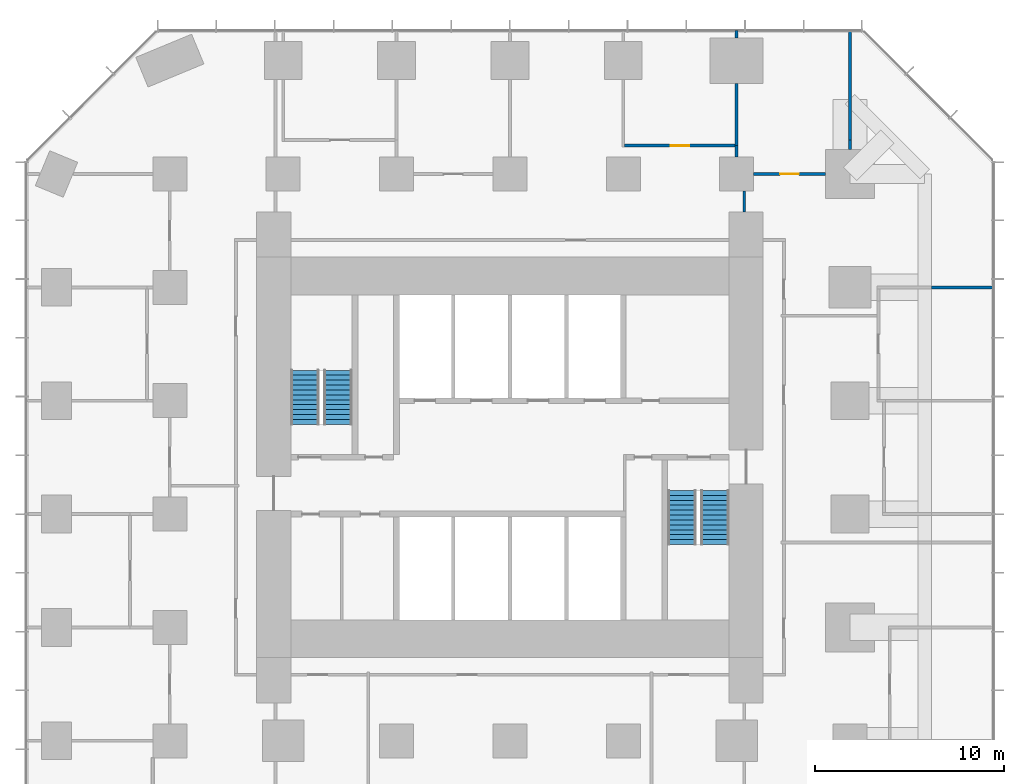
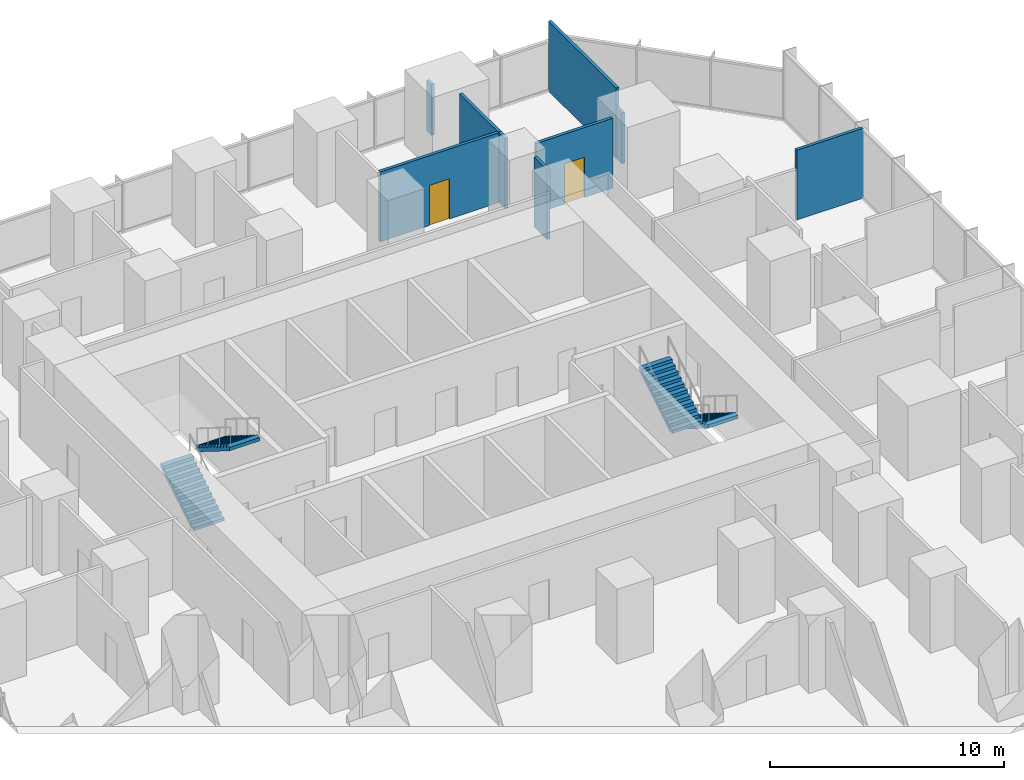
# One storey, part 12 of 13: 9 walls, 4 stair flights, 2 doors, 2 openings, 2 elements without a shape of their own.
"""IFC4 building model written with IfcOpenShell, lengths in metres."""

from ifc_helpers import new_model, si_unit, direction, frame, frame_2d, origin, place, context, subcontext, project, spatial, polyline, rectangle, outline, extrude, material, layer, layer_set, type_object, element, fill, aggregate, save


model = new_model("IFC4")

# Units and contexts
model_context = context("Model", 3, precision=1e-05, world=origin(), true_north=direction((0.0, 1.0)))
body_context = subcontext(model_context, "Body", "Model", "MODEL_VIEW")
ifc_project = project(units=[si_unit("LENGTHUNIT", "METRE"), si_unit("AREAUNIT", "SQUARE_METRE"), si_unit("VOLUMEUNIT", "CUBIC_METRE"), si_unit("PLANEANGLEUNIT", "RADIAN"), si_unit("MASSUNIT", "GRAM", prefix="KILO")], contexts=[model_context])

# Site, building, storey
site_placement = place(None, origin())
site = spatial("IfcSite", under=ifc_project, at=site_placement, CompositionType="ELEMENT")
building_placement = place(site_placement, origin())
building = spatial("IfcBuilding", under=site, at=building_placement, Name="Highveld Stack Headquarters", CompositionType="ELEMENT")
storey_placement = place(building_placement, frame((0.0, 0.0, 61.10009765625)))
storey = spatial("IfcBuildingStorey", under=building, at=storey_placement, Name="L14", CompositionType="ELEMENT", Elevation=61.10009765625)

# Wall
ifc_material_1 = material(Name="Gypsum plasterboard on steel studs", Category="steel")
ifc_layer = layer(ifc_material_1, 0.14990234375)
ifc_layer_set = layer_set([ifc_layer], Name="Gypsum plasterboard on steel studs")
wall_type = type_object("IfcWallType", Name="PARTITION 150 PLASTERBOARD", PredefinedType="PARTITIONING", material=ifc_layer_set)
wall_1_placement = place(storey_placement, frame((28.31005859375, 12.0, 0.0), z_axis=(0.0, 0.0, 1.0), x_axis=(1.0, 0.0, 0.0)))
element("IfcWall", 1, at=wall_1_placement, inside=storey, type_object=wall_type, Name="Partition Quiet room L14", PredefinedType="PARTITIONING", context=body_context, shape_type="SweptSolid", body=[
    extrude(rectangle(XDim=3.2900390625, YDim=0.14990234375, at=frame_2d((1.64501953125, 0.0))), origin(), (0.0, 0.0, 1.0), 3.64990234375),
])

# Wall, opening, door
wall_2_placement = place(storey_placement, frame((18.89990234375, 18.0, 0.0), z_axis=(0.0, 0.0, 1.0), x_axis=(1.0, 0.0, 0.0)))
wall_2 = element("IfcWall", 2, at=wall_2_placement, inside=storey, type_object=wall_type, Name="Partition Office L14", PredefinedType="PARTITIONING", context=body_context, shape_type="SweptSolid", body=[
    extrude(rectangle(XDim=3.800048828125, YDim=0.14990234375, at=frame_2d((1.89990234375, 0.0))), origin(), (0.0, 0.0, 1.0), 3.64990234375),
])
opening_1_placement = place(wall_2_placement, frame((1.39990234375, 0.0, 0.0)))
opening_1 = element("IfcOpeningElement", 3, at=opening_1_placement, cuts=wall_2, Name="Opening L14-24", PredefinedType="OPENING", context=body_context, shape_type="SweptSolid", body=[
    extrude(rectangle(XDim=1.0, YDim=2.10009765625, at=frame_2d((0.5, 1.050048828125))), frame((0.0, 0.0849609375, 0.0), z_axis=(0.0, -1.0, 0.0), x_axis=(1.0, 0.0, 0.0)), (0.0, 0.0, 1.0), 0.169921875),
])
ifc_material_2 = material(Name="Timber door, oiled ash", Category="wood")
door_type = type_object("IfcDoorType", Name="ROOM DOOR D6 1000x2100", OperationType="SINGLE_SWING_LEFT", PredefinedType="DOOR", material=ifc_material_2)
door_1_placement = place(opening_1_placement, origin())
door_1 = element("IfcDoor", 4, at=door_1_placement, inside=storey, type_object=door_type, Name="Office door 1 L14", OperationType="SINGLE_SWING_RIGHT", OverallHeight=2.10009765625, OverallWidth=1.0, PredefinedType="DOOR", context=body_context, shape_type="SweptSolid", body=[
    extrude(rectangle(XDim=1.0, YDim=2.10009765625, at=frame_2d((0.5, 1.050048828125))), frame((0.0, 0.02490234375, 0.0), z_axis=(0.0, -1.0, 0.0), x_axis=(1.0, 0.0, 0.0)), (0.0, 0.0, 1.0), 0.050048828125),
])
fill(opening_1, door_1)

wall_3_placement = place(storey_placement, frame((12.074951171875, 19.5, 0.0), z_axis=(0.0, 0.0, 1.0), x_axis=(1.0, 0.0, 0.0)))
wall_3 = element("IfcWall", 5, at=wall_3_placement, inside=storey, type_object=wall_type, Name="Partition Quiet room L14", PredefinedType="PARTITIONING", context=body_context, shape_type="SweptSolid", body=[
    extrude(rectangle(XDim=5.85009765625, YDim=0.14990234375, at=frame_2d((2.925048828125, 0.0))), origin(), (0.0, 0.0, 1.0), 3.64990234375),
])
opening_2_placement = place(wall_3_placement, frame((2.425048828125, 0.0, 0.0)))
opening_2 = element("IfcOpeningElement", 6, at=opening_2_placement, cuts=wall_3, Name="Opening L14-23", PredefinedType="OPENING", context=body_context, shape_type="SweptSolid", body=[
    extrude(rectangle(XDim=1.0, YDim=2.10009765625, at=frame_2d((0.5, 1.050048828125))), frame((0.0, 0.0849609375, 0.0), z_axis=(0.0, -1.0, 0.0), x_axis=(1.0, 0.0, 0.0)), (0.0, 0.0, 1.0), 0.169921875),
])
door_2_placement = place(opening_2_placement, origin())
door_2 = element("IfcDoor", 7, at=door_2_placement, inside=storey, type_object=door_type, Name="Quiet room door 1 L14", OperationType="SINGLE_SWING_LEFT", OverallHeight=2.10009765625, OverallWidth=1.0, PredefinedType="DOOR", context=body_context, shape_type="SweptSolid", body=[
    extrude(rectangle(XDim=1.0, YDim=2.10009765625, at=frame_2d((0.5, 1.050048828125))), frame((0.0, 0.02490234375, 0.0), z_axis=(0.0, -1.0, 0.0), x_axis=(1.0, 0.0, 0.0)), (0.0, 0.0, 1.0), 0.050048828125),
])
fill(opening_2, door_2)

# Walls
wall_4_placement = place(storey_placement, frame((18.0, 18.89990234375, 0.0), z_axis=(0.0, 0.0, 1.0), x_axis=(0.0, 1.0, 0.0)))
element("IfcWall", 8, at=wall_4_placement, inside=storey, type_object=wall_type, Name="Partition Office L14", PredefinedType="PARTITIONING", context=body_context, shape_type="SweptSolid", body=[
    extrude(rectangle(XDim=0.60009765625, YDim=0.14990234375, at=frame_2d((0.300048828125, 0.0))), origin(), (0.0, 0.0, 1.0), 3.64990234375),
])
wall_5_placement = place(storey_placement, frame((18.0, 19.5, 0.0), z_axis=(0.0, 0.0, 1.0), x_axis=(0.0, 1.0, 0.0)))
element("IfcWall", 9, at=wall_5_placement, inside=storey, type_object=wall_type, Name="Partition Office / Quiet room L14", PredefinedType="PARTITIONING", context=body_context, shape_type="SweptSolid", body=[
    extrude(rectangle(XDim=3.300048828125, YDim=0.14990234375, at=frame_2d((1.64990234375, 0.0))), origin(), (0.0, 0.0, 1.0), 3.64990234375),
])
wall_6_placement = place(storey_placement, frame((18.0, 25.199951171875, 0.0), z_axis=(0.0, 0.0, 1.0), x_axis=(0.0, 1.0, 0.0)))
element("IfcWall", 10, at=wall_6_placement, inside=storey, type_object=wall_type, Name="Partition Office / Quiet room L14", PredefinedType="PARTITIONING", context=body_context, shape_type="SweptSolid", body=[
    extrude(rectangle(XDim=0.400146484375, YDim=0.14990234375, at=frame_2d((0.2001953125, 0.0))), origin(), (0.0, 0.0, 1.0), 2.64990234375),
])
wall_7_placement = place(storey_placement, frame((24.0, 19.300048828125, 0.0), z_axis=(0.0, 0.0, 1.0), x_axis=(0.0, 1.0, 0.0)))
element("IfcWall", 11, at=wall_7_placement, inside=storey, type_object=wall_type, Name="Partition Office L14", PredefinedType="PARTITIONING", context=body_context, shape_type="SweptSolid", body=[
    extrude(rectangle(XDim=0.491943359375, YDim=0.14990234375, at=frame_2d((0.24609375, 0.0))), origin(), (0.0, 0.0, 1.0), 2.64990234375),
])
wall_8_placement = place(storey_placement, frame((24.0, 19.7919921875, 0.0), z_axis=(0.0, 0.0, 1.0), x_axis=(0.0, 1.0, 0.0)))
element("IfcWall", 12, at=wall_8_placement, inside=storey, type_object=wall_type, Name="Partition Office L14", PredefinedType="PARTITIONING", context=body_context, shape_type="SweptSolid", body=[
    extrude(rectangle(XDim=5.79296875, YDim=0.14990234375, at=frame_2d((2.896484375, 0.0))), origin(), (0.0, 0.0, 1.0), 3.64990234375),
])
wall_9_placement = place(storey_placement, frame((18.39990234375, 16.0, 0.0), z_axis=(0.0, 0.0, 1.0), x_axis=(0.0, 1.0, 0.0)))
element("IfcWall", 13, at=wall_9_placement, inside=storey, type_object=wall_type, Name="Partition office neighbourhood L14", PredefinedType="PARTITIONING", context=body_context, shape_type="SweptSolid", body=[
    extrude(rectangle(XDim=1.10009765625, YDim=0.14990234375, at=frame_2d((0.550048828125, 0.0))), origin(), (0.0, 0.0, 1.0), 3.64990234375),
])

# Stair, stair flights
ifc_material_3 = material(Name="Concrete C40/50, precast", Category="concrete")
stair_type_1 = type_object("IfcStairType", Name="STAIR S1 HALF TURN 1500", PredefinedType="HALF_TURN_STAIR", material=ifc_material_3)
stair_1_placement = place(storey_placement, origin())
stair_1 = element("IfcStair", 14, at=stair_1_placement, inside=storey, type_object=stair_type_1, Name="Stair S1 L14", PredefinedType="HALF_TURN_STAIR")
ifc_material_4 = material(Name="Concrete C40/50, precast", Category="concrete")
stair_flight_type = type_object("IfcStairFlightType", Name="STAIR FLIGHT 1500 PRECAST", PredefinedType="STRAIGHT", material=ifc_material_4)
stair_flight_1_placement = place(storey_placement, frame((-4.85009765625, 4.75, 0.0), z_axis=(0.0, 0.0, 1.0), x_axis=(0.0, 1.0, 0.0)))
stair_flight_1 = element("IfcStairFlight", 15, at=stair_flight_1_placement, type_object=stair_flight_type, Name="S1 flight 1", NumberOfRisers=12, NumberOfTreads=11, PredefinedType="STRAIGHT", RiserHeight=0.1625, TreadLength=0.26, context=body_context, shape_type="SweptSolid", body=[
    extrude(outline(polyline([(0.0, 0.0), (0.0, 0.16259765625), (0.260009765625, 0.16259765625), (0.260009765625, 0.324951171875), (0.52001953125, 0.324951171875), (0.52001953125, 0.487548828125), (0.780029296875, 0.487548828125), (0.780029296875, 0.64990234375), (1.0400390625, 0.64990234375), (1.0400390625, 0.8125), (1.300048828125, 0.8125), (1.300048828125, 0.97509765625), (1.56005859375, 0.97509765625), (1.56005859375, 1.137451171875), (1.820068359375, 1.137451171875), (1.820068359375, 1.300048828125), (2.080078125, 1.300048828125), (2.080078125, 1.46240234375), (2.340087890625, 1.46240234375), (2.340087890625, 1.625), (2.60009765625, 1.625), (2.60009765625, 1.78759765625), (2.860107421875, 1.78759765625), (2.860107421875, 1.949951171875), (2.860107421875, 1.61083984375), (0.28271484375, 0.0), (0.0, 0.0)])), frame((0.0, 0.75, 0.0), z_axis=(0.0, -1.0, 0.0), x_axis=(1.0, 0.0, 0.0)), (0.0, 0.0, 1.0), 1.5),
])
stair_flight_2_placement = place(storey_placement, frame((-3.10009765625, 7.610107421875, 1.949951171875), z_axis=(0.0, 0.0, 1.0), x_axis=(0.0, -1.0, 0.0)))
stair_flight_2 = element("IfcStairFlight", 16, at=stair_flight_2_placement, type_object=stair_flight_type, Name="S1 flight 2", NumberOfRisers=12, NumberOfTreads=11, PredefinedType="STRAIGHT", RiserHeight=0.1625, TreadLength=0.26, context=body_context, shape_type="SweptSolid", body=[
    extrude(outline(polyline([(0.0, 0.0), (0.0, 0.16259765625), (0.260009765625, 0.16259765625), (0.260009765625, 0.324951171875), (0.52001953125, 0.324951171875), (0.52001953125, 0.487548828125), (0.780029296875, 0.487548828125), (0.780029296875, 0.64990234375), (1.0400390625, 0.64990234375), (1.0400390625, 0.8125), (1.300048828125, 0.8125), (1.300048828125, 0.97509765625), (1.56005859375, 0.97509765625), (1.56005859375, 1.137451171875), (1.820068359375, 1.137451171875), (1.820068359375, 1.300048828125), (2.080078125, 1.300048828125), (2.080078125, 1.46240234375), (2.340087890625, 1.46240234375), (2.340087890625, 1.625), (2.60009765625, 1.625), (2.60009765625, 1.78759765625), (2.860107421875, 1.78759765625), (2.860107421875, 1.949951171875), (2.860107421875, 1.61083984375), (0.28271484375, 0.0), (0.0, 0.0)])), frame((0.0, 0.75, 0.0), z_axis=(0.0, -1.0, 0.0), x_axis=(1.0, 0.0, 0.0)), (0.0, 0.0, 1.0), 1.5),
])
aggregate(stair_1, [stair_flight_1, stair_flight_2])

ifc_material_5 = material(Name="Concrete C40/50, precast", Category="concrete")
stair_type_2 = type_object("IfcStairType", Name="STAIR S2 HALF TURN 1500", PredefinedType="HALF_TURN_STAIR", material=ifc_material_5)
stair_2_placement = place(storey_placement, origin())
stair_2 = element("IfcStair", 17, at=stair_2_placement, inside=storey, type_object=stair_type_2, Name="Stair S2 L14", PredefinedType="HALF_TURN_STAIR")
stair_flight_3_placement = place(storey_placement, frame((16.85009765625, 1.25, 0.0), z_axis=(0.0, 0.0, 1.0), x_axis=(0.0, -1.0, 0.0)))
stair_flight_3 = element("IfcStairFlight", 18, at=stair_flight_3_placement, type_object=stair_flight_type, Name="S2 flight 1", NumberOfRisers=12, NumberOfTreads=11, PredefinedType="STRAIGHT", RiserHeight=0.1625, TreadLength=0.26, context=body_context, shape_type="SweptSolid", body=[
    extrude(outline(polyline([(0.0, 0.0), (0.0, 0.16259765625), (0.260009765625, 0.16259765625), (0.260009765625, 0.324951171875), (0.52001953125, 0.324951171875), (0.52001953125, 0.487548828125), (0.780029296875, 0.487548828125), (0.780029296875, 0.64990234375), (1.0400390625, 0.64990234375), (1.0400390625, 0.8125), (1.300048828125, 0.8125), (1.300048828125, 0.97509765625), (1.56005859375, 0.97509765625), (1.56005859375, 1.137451171875), (1.820068359375, 1.137451171875), (1.820068359375, 1.300048828125), (2.080078125, 1.300048828125), (2.080078125, 1.46240234375), (2.340087890625, 1.46240234375), (2.340087890625, 1.625), (2.60009765625, 1.625), (2.60009765625, 1.78759765625), (2.860107421875, 1.78759765625), (2.860107421875, 1.949951171875), (2.860107421875, 1.61083984375), (0.28271484375, 0.0), (0.0, 0.0)])), frame((0.0, 0.75, 0.0), z_axis=(0.0, -1.0, 0.0), x_axis=(1.0, 0.0, 0.0)), (0.0, 0.0, 1.0), 1.5),
])
stair_flight_4_placement = place(storey_placement, frame((15.10009765625, -1.610107421875, 1.949951171875), z_axis=(0.0, 0.0, 1.0), x_axis=(0.0, 1.0, 0.0)))
stair_flight_4 = element("IfcStairFlight", 19, at=stair_flight_4_placement, type_object=stair_flight_type, Name="S2 flight 2", NumberOfRisers=12, NumberOfTreads=11, PredefinedType="STRAIGHT", RiserHeight=0.1625, TreadLength=0.26, context=body_context, shape_type="SweptSolid", body=[
    extrude(outline(polyline([(0.0, 0.0), (0.0, 0.16259765625), (0.260009765625, 0.16259765625), (0.260009765625, 0.324951171875), (0.52001953125, 0.324951171875), (0.52001953125, 0.487548828125), (0.780029296875, 0.487548828125), (0.780029296875, 0.64990234375), (1.0400390625, 0.64990234375), (1.0400390625, 0.8125), (1.300048828125, 0.8125), (1.300048828125, 0.97509765625), (1.56005859375, 0.97509765625), (1.56005859375, 1.137451171875), (1.820068359375, 1.137451171875), (1.820068359375, 1.300048828125), (2.080078125, 1.300048828125), (2.080078125, 1.46240234375), (2.340087890625, 1.46240234375), (2.340087890625, 1.625), (2.60009765625, 1.625), (2.60009765625, 1.78759765625), (2.860107421875, 1.78759765625), (2.860107421875, 1.949951171875), (2.860107421875, 1.61083984375), (0.28271484375, 0.0), (0.0, 0.0)])), frame((0.0, 0.75, 0.0), z_axis=(0.0, -1.0, 0.0), x_axis=(1.0, 0.0, 0.0)), (0.0, 0.0, 1.0), 1.5),
])
aggregate(stair_2, [stair_flight_3, stair_flight_4])

save(model, "model.ifc")
